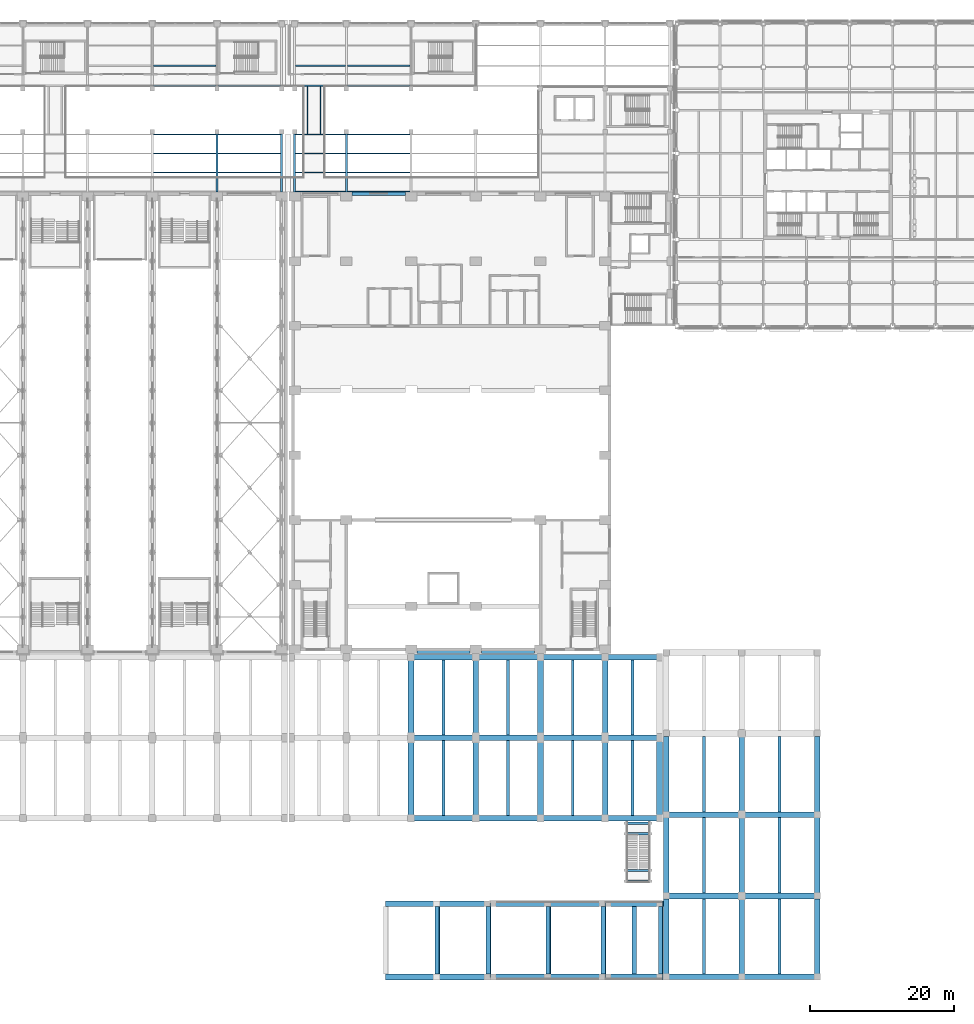
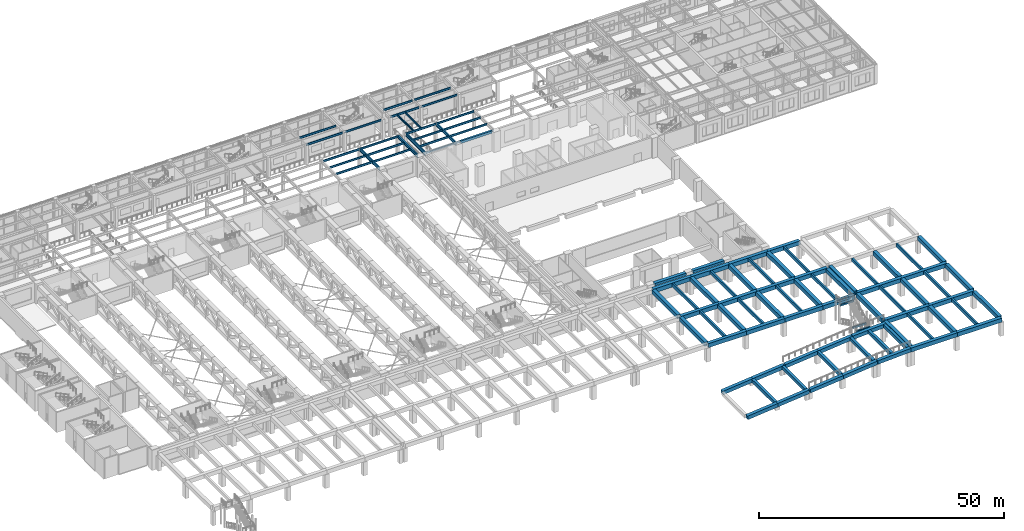
# One storey, part 19 of 76: 100 beams.
"""IFC4 building model written with IfcOpenShell, lengths in metres."""

from ifc_helpers import new_model, si_unit, direction, frame, origin, origin_2d, place, context, subcontext, project, spatial, rectangle, i_section, extrude, material, material_profile, profile_set, type_object, element, save


model = new_model("IFC4")

# Units and contexts
model_context = context("Model", 3, precision=1e-05, world=origin(), true_north=direction((0.0, 1.0)))
body_context = subcontext(model_context, "Body", "Model", "MODEL_VIEW")
ifc_project = project(units=[si_unit("LENGTHUNIT", "METRE"), si_unit("AREAUNIT", "SQUARE_METRE"), si_unit("VOLUMEUNIT", "CUBIC_METRE"), si_unit("PLANEANGLEUNIT", "RADIAN"), si_unit("MASSUNIT", "GRAM", prefix="KILO")], contexts=[model_context])

# Site, building, storey
site_placement = place(None, origin())
site = spatial("IfcSite", under=ifc_project, at=site_placement, CompositionType="ELEMENT")
building_placement = place(site_placement, origin())
building = spatial("IfcBuilding", under=site, at=building_placement, Name="Aravalli Gate Trade Fair Centre", CompositionType="ELEMENT")
storey_placement = place(building_placement, frame((0.0, 0.0, 10.0)))
storey = spatial("IfcBuildingStorey", under=building, at=storey_placement, Name="L02", CompositionType="ELEMENT", Elevation=10.0)

# Beams
ifc_material_1 = material(Name="Concrete M45", Category="concrete")
ifc_material_profile_1 = material_profile(ifc_material_1, rectangle(XDim=0.800048828125, YDim=0.60009765625, at=origin_2d()), Name="RC 800x600")
ifc_profile_set_1 = profile_set([ifc_material_profile_1], Name="Concrete M45")
beam_type_1 = type_object("IfcBeamType", Name="Congress RC edge beam 800 x 600", PredefinedType="BEAM", material=ifc_profile_set_1)
for number, where, z_axis, x_axis, name in (
    (1, (123.800048828125, 45.800048828125, 4.699951171875), (1.0, 0.0, 0.0), (0.0, 1.0, 0.0), "Edge beam S L02 bay 3"),
    (2, (132.800048828125, 45.800048828125, 4.699951171875), (1.0, 0.0, 0.0), (0.0, 1.0, 0.0), "Edge beam S L02 bay 4"),
):
    element("IfcBeam", number, at=place(storey_placement, frame(where, z_axis=z_axis, x_axis=x_axis)), inside=storey, type_object=beam_type_1, Name=name, PredefinedType="BEAM", context=body_context, shape_type="SweptSolid", body=[
        extrude(rectangle(XDim=0.800048828125, YDim=0.60009765625, at=origin_2d()), origin(), (0.0, 0.0, 1.0), 7.39990234375),
    ])
ifc_material_profile_2 = material_profile(ifc_material_1, rectangle(XDim=0.449951171875, YDim=0.60009765625, at=origin_2d()), Name="RC 450x600")
ifc_profile_set_2 = profile_set([ifc_material_profile_2], Name="Concrete M45")
beam_type_2 = type_object("IfcBeamType", Name="Congress RC lintel beam 450 x 600", PredefinedType="BEAM", material=ifc_profile_set_2)
beam_1_placement = place(storey_placement, frame((114.800048828125, 109.375, 4.699951171875), z_axis=(1.0, 0.0, 0.0), x_axis=(0.0, 1.0, 0.0)))
element("IfcBeam", 3, at=beam_1_placement, inside=storey, type_object=beam_type_2, Name="Lintel N L02 bay 2", PredefinedType="BEAM", context=body_context, shape_type="SweptSolid", body=[
    extrude(rectangle(XDim=0.449951171875, YDim=0.60009765625, at=origin_2d()), origin(), (0.0, 0.0, 1.0), 7.39990234375),
])
ifc_material_profile_3 = material_profile(ifc_material_1, rectangle(XDim=0.800048828125, YDim=1.0, at=origin_2d()), Name="Deck girder RC 800 x 1000")
ifc_profile_set_3 = profile_set([ifc_material_profile_3], Name="Concrete M45")
beam_type_3 = type_object("IfcBeamType", Name="Deck girder RC 800 x 1000", PredefinedType="BEAM", material=ifc_profile_set_3)
for number, where, z_axis, x_axis, name in (
    (4, (123.0, 22.5, 3.89990234375), (1.0, 0.0, 0.0), (0.0, 1.0, 0.0), "Beam SB3-062"),
    (5, (132.0, 22.5, 3.89990234375), (1.0, 0.0, 0.0), (0.0, 1.0, 0.0), "Beam SB3-063"),
    (6, (141.0, 22.5, 3.89990234375), (1.0, 0.0, 0.0), (0.0, 1.0, 0.0), "Beam SB3-064"),
):
    element("IfcBeam", number, at=place(storey_placement, frame(where, z_axis=z_axis, x_axis=x_axis)), inside=storey, type_object=beam_type_3, Name=name, PredefinedType="BEAM", context=body_context, shape_type="SweptSolid", body=[
        extrude(rectangle(XDim=0.800048828125, YDim=1.0, at=origin_2d()), origin(), (0.0, 0.0, 1.0), 9.0),
    ])
beam_2_placement = place(storey_placement, frame((150.0, 22.5, 3.89990234375), z_axis=(1.0, 0.0, 0.0), x_axis=(0.0, 1.0, 0.0)))
element("IfcBeam", 7, at=beam_2_placement, inside=storey, type_object=beam_type_3, Name="Beam SB3-065", PredefinedType="BEAM", context=body_context, shape_type="SweptSolid", body=[
    extrude(rectangle(XDim=0.800048828125, YDim=1.0, at=origin_2d()), origin(), (0.0, 0.0, 1.0), 7.580078125),
])
for number, where, z_axis, x_axis, name in (
    (8, (123.0, 33.699951171875, 3.89990234375), (1.0, 0.0, 0.0), (0.0, 1.0, 0.0), "Beam SB3-068"),
    (9, (132.0, 33.699951171875, 3.89990234375), (1.0, 0.0, 0.0), (0.0, 1.0, 0.0), "Beam SB3-069"),
    (10, (141.0, 33.699951171875, 3.89990234375), (1.0, 0.0, 0.0), (0.0, 1.0, 0.0), "Beam SB3-070"),
):
    element("IfcBeam", number, at=place(storey_placement, frame(where, z_axis=z_axis, x_axis=x_axis)), inside=storey, type_object=beam_type_3, Name=name, PredefinedType="BEAM", context=body_context, shape_type="SweptSolid", body=[
        extrude(rectangle(XDim=0.800048828125, YDim=1.0, at=origin_2d()), origin(), (0.0, 0.0, 1.0), 9.0),
    ])
beam_3_placement = place(storey_placement, frame((150.0, 33.699951171875, 3.89990234375), z_axis=(1.0, 0.0, 0.0), x_axis=(0.0, 1.0, 0.0)))
element("IfcBeam", 11, at=beam_3_placement, inside=storey, type_object=beam_type_3, Name="Beam SB3-071", PredefinedType="BEAM", context=body_context, shape_type="SweptSolid", body=[
    extrude(rectangle(XDim=0.800048828125, YDim=1.0, at=origin_2d()), origin(), (0.0, 0.0, 1.0), 7.580078125),
])
for number, where, z_axis, x_axis, name in (
    (12, (123.0, 44.89990234375, 3.89990234375), (1.0, 0.0, 0.0), (0.0, 1.0, 0.0), "Beam SB3-074"),
    (13, (132.0, 44.89990234375, 3.89990234375), (1.0, 0.0, 0.0), (0.0, 1.0, 0.0), "Beam SB3-075"),
    (14, (141.0, 44.89990234375, 3.89990234375), (1.0, 0.0, 0.0), (0.0, 1.0, 0.0), "Beam SB3-076"),
):
    element("IfcBeam", number, at=place(storey_placement, frame(where, z_axis=z_axis, x_axis=x_axis)), inside=storey, type_object=beam_type_3, Name=name, PredefinedType="BEAM", context=body_context, shape_type="SweptSolid", body=[
        extrude(rectangle(XDim=0.800048828125, YDim=1.0, at=origin_2d()), origin(), (0.0, 0.0, 1.0), 9.0),
    ])
beam_4_placement = place(storey_placement, frame((150.0, 44.89990234375, 3.89990234375), z_axis=(1.0, 0.0, 0.0), x_axis=(0.0, 1.0, 0.0)))
element("IfcBeam", 15, at=beam_4_placement, inside=storey, type_object=beam_type_3, Name="Beam SB3-077", PredefinedType="BEAM", context=body_context, shape_type="SweptSolid", body=[
    extrude(rectangle(XDim=0.800048828125, YDim=1.0, at=origin_2d()), origin(), (0.0, 0.0, 1.0), 7.580078125),
])
beam_5_placement = place(storey_placement, frame((123.0, 22.89990234375, 3.89990234375), z_axis=(0.0, 1.0, 0.0), x_axis=(-1.0, 0.0, 0.0)))
element("IfcBeam", 16, at=beam_5_placement, inside=storey, type_object=beam_type_3, Name="Beam SB3-082", PredefinedType="BEAM", context=body_context, shape_type="SweptSolid", body=[
    extrude(rectangle(XDim=0.800048828125, YDim=1.0, at=origin_2d()), origin(), (0.0, 0.0, 1.0), 10.400146484375),
])
beam_6_placement = place(storey_placement, frame((123.0, 34.10009765625, 3.89990234375), z_axis=(0.0, 1.0, 0.0), x_axis=(-1.0, 0.0, 0.0)))
element("IfcBeam", 17, at=beam_6_placement, inside=storey, type_object=beam_type_3, Name="Beam SB3-083", PredefinedType="BEAM", context=body_context, shape_type="SweptSolid", body=[
    extrude(rectangle(XDim=0.800048828125, YDim=1.0, at=origin_2d()), origin(), (0.0, 0.0, 1.0), 10.39990234375),
])
beam_7_placement = place(storey_placement, frame((132.0, 22.89990234375, 3.89990234375), z_axis=(0.0, 1.0, 0.0), x_axis=(-1.0, 0.0, 0.0)))
element("IfcBeam", 18, at=beam_7_placement, inside=storey, type_object=beam_type_3, Name="Beam SB3-084", PredefinedType="BEAM", context=body_context, shape_type="SweptSolid", body=[
    extrude(rectangle(XDim=0.800048828125, YDim=1.0, at=origin_2d()), origin(), (0.0, 0.0, 1.0), 10.400146484375),
])
beam_8_placement = place(storey_placement, frame((132.0, 34.10009765625, 3.89990234375), z_axis=(0.0, 1.0, 0.0), x_axis=(-1.0, 0.0, 0.0)))
element("IfcBeam", 19, at=beam_8_placement, inside=storey, type_object=beam_type_3, Name="Beam SB3-085", PredefinedType="BEAM", context=body_context, shape_type="SweptSolid", body=[
    extrude(rectangle(XDim=0.800048828125, YDim=1.0, at=origin_2d()), origin(), (0.0, 0.0, 1.0), 10.39990234375),
])
beam_9_placement = place(storey_placement, frame((141.0, 22.89990234375, 3.89990234375), z_axis=(0.0, 1.0, 0.0), x_axis=(-1.0, 0.0, 0.0)))
element("IfcBeam", 20, at=beam_9_placement, inside=storey, type_object=beam_type_3, Name="Beam SB3-086", PredefinedType="BEAM", context=body_context, shape_type="SweptSolid", body=[
    extrude(rectangle(XDim=0.800048828125, YDim=1.0, at=origin_2d()), origin(), (0.0, 0.0, 1.0), 10.400146484375),
])
beam_10_placement = place(storey_placement, frame((141.0, 34.10009765625, 3.89990234375), z_axis=(0.0, 1.0, 0.0), x_axis=(-1.0, 0.0, 0.0)))
element("IfcBeam", 21, at=beam_10_placement, inside=storey, type_object=beam_type_3, Name="Beam SB3-087", PredefinedType="BEAM", context=body_context, shape_type="SweptSolid", body=[
    extrude(rectangle(XDim=0.800048828125, YDim=1.0, at=origin_2d()), origin(), (0.0, 0.0, 1.0), 10.39990234375),
])
beam_11_placement = place(storey_placement, frame((150.0, 22.89990234375, 3.89990234375), z_axis=(0.0, 1.0, 0.0), x_axis=(-1.0, 0.0, 0.0)))
element("IfcBeam", 22, at=beam_11_placement, inside=storey, type_object=beam_type_3, Name="Beam SB3-088", PredefinedType="BEAM", context=body_context, shape_type="SweptSolid", body=[
    extrude(rectangle(XDim=0.800048828125, YDim=1.0, at=origin_2d()), origin(), (0.0, 0.0, 1.0), 10.400146484375),
])
beam_12_placement = place(storey_placement, frame((150.0, 34.10009765625, 3.89990234375), z_axis=(0.0, 1.0, 0.0), x_axis=(-1.0, 0.0, 0.0)))
element("IfcBeam", 23, at=beam_12_placement, inside=storey, type_object=beam_type_3, Name="Beam SB3-089", PredefinedType="BEAM", context=body_context, shape_type="SweptSolid", body=[
    extrude(rectangle(XDim=0.800048828125, YDim=1.0, at=origin_2d()), origin(), (0.0, 0.0, 1.0), 10.39990234375),
])
beam_13_placement = place(storey_placement, frame((157.580078125, 22.89990234375, 3.89990234375), z_axis=(0.0, 1.0, 0.0), x_axis=(-1.0, 0.0, 0.0)))
element("IfcBeam", 24, at=beam_13_placement, inside=storey, type_object=beam_type_3, Name="Beam SB3-090", PredefinedType="BEAM", context=body_context, shape_type="SweptSolid", body=[
    extrude(rectangle(XDim=0.800048828125, YDim=1.0, at=origin_2d()), origin(), (0.0, 0.0, 1.0), 10.400146484375),
])
beam_14_placement = place(storey_placement, frame((158.05810546875, 0.449951171875, 3.89990234375), z_axis=(1.0, 0.0, 0.0), x_axis=(0.0, 1.0, 0.0)))
element("IfcBeam", 25, at=beam_14_placement, inside=storey, type_object=beam_type_3, Name="Beam SB3-092", PredefinedType="BEAM", context=body_context, shape_type="SweptSolid", body=[
    extrude(rectangle(XDim=0.800048828125, YDim=1.0, at=origin_2d()), origin(), (0.0, 0.0, 1.0), 10.94189453125),
])
for number, where, z_axis, x_axis, name in (
    (26, (169.0, 0.449951171875, 3.89990234375), (1.0, 0.0, 0.0), (0.0, 1.0, 0.0), "Beam SB3-093"),
    (27, (158.5, 11.699951171875, 3.89990234375), (1.0, 0.0, 0.0), (0.0, 1.0, 0.0), "Beam SB3-094"),
    (28, (169.0, 11.699951171875, 3.89990234375), (1.0, 0.0, 0.0), (0.0, 1.0, 0.0), "Beam SB3-095"),
    (29, (158.5, 23.0, 3.89990234375), (1.0, 0.0, 0.0), (0.0, 1.0, 0.0), "Beam SB3-096"),
    (30, (169.0, 23.0, 3.89990234375), (1.0, 0.0, 0.0), (0.0, 1.0, 0.0), "Beam SB3-097"),
):
    element("IfcBeam", number, at=place(storey_placement, frame(where, z_axis=z_axis, x_axis=x_axis)), inside=storey, type_object=beam_type_3, Name=name, PredefinedType="BEAM", context=body_context, shape_type="SweptSolid", body=[
        extrude(rectangle(XDim=0.800048828125, YDim=1.0, at=origin_2d()), origin(), (0.0, 0.0, 1.0), 10.5),
    ])
beam_15_placement = place(storey_placement, frame((158.5, 0.85009765625, 3.89990234375), z_axis=(0.0, 1.0, 0.0), x_axis=(-1.0, 0.0, 0.0)))
element("IfcBeam", 31, at=beam_15_placement, inside=storey, type_object=beam_type_3, Name="Beam SB3-102", PredefinedType="BEAM", context=body_context, shape_type="SweptSolid", body=[
    extrude(rectangle(XDim=0.800048828125, YDim=1.0, at=origin_2d()), origin(), (0.0, 0.0, 1.0), 10.449951171875),
])
for number, where, z_axis, x_axis, name in (
    (32, (158.5, 12.10009765625, 3.89990234375), (0.0, 1.0, 0.0), (-1.0, 0.0, 0.0), "Beam SB3-103"),
    (33, (158.5, 23.39990234375, 3.89990234375), (0.0, 1.0, 0.0), (-1.0, 0.0, 0.0), "Beam SB3-104"),
):
    element("IfcBeam", number, at=place(storey_placement, frame(where, z_axis=z_axis, x_axis=x_axis)), inside=storey, type_object=beam_type_3, Name=name, PredefinedType="BEAM", context=body_context, shape_type="SweptSolid", body=[
        extrude(rectangle(XDim=0.800048828125, YDim=1.0, at=origin_2d()), origin(), (0.0, 0.0, 1.0), 10.5),
    ])
beam_16_placement = place(storey_placement, frame((169.0, 0.85009765625, 3.89990234375), z_axis=(0.0, 1.0, 0.0), x_axis=(-1.0, 0.0, 0.0)))
element("IfcBeam", 34, at=beam_16_placement, inside=storey, type_object=beam_type_3, Name="Beam SB3-106", PredefinedType="BEAM", context=body_context, shape_type="SweptSolid", body=[
    extrude(rectangle(XDim=0.800048828125, YDim=1.0, at=origin_2d()), origin(), (0.0, 0.0, 1.0), 10.449951171875),
])
for number, where, z_axis, x_axis, name in (
    (35, (169.0, 12.10009765625, 3.89990234375), (0.0, 1.0, 0.0), (-1.0, 0.0, 0.0), "Beam SB3-107"),
    (36, (169.0, 23.39990234375, 3.89990234375), (0.0, 1.0, 0.0), (-1.0, 0.0, 0.0), "Beam SB3-108"),
):
    element("IfcBeam", number, at=place(storey_placement, frame(where, z_axis=z_axis, x_axis=x_axis)), inside=storey, type_object=beam_type_3, Name=name, PredefinedType="BEAM", context=body_context, shape_type="SweptSolid", body=[
        extrude(rectangle(XDim=0.800048828125, YDim=1.0, at=origin_2d()), origin(), (0.0, 0.0, 1.0), 10.5),
    ])
beam_17_placement = place(storey_placement, frame((179.5, 0.85009765625, 3.89990234375), z_axis=(0.0, 1.0, 0.0), x_axis=(-1.0, 0.0, 0.0)))
element("IfcBeam", 37, at=beam_17_placement, inside=storey, type_object=beam_type_3, Name="Beam SB3-110", PredefinedType="BEAM", context=body_context, shape_type="SweptSolid", body=[
    extrude(rectangle(XDim=0.800048828125, YDim=1.0, at=origin_2d()), origin(), (0.0, 0.0, 1.0), 10.449951171875),
])
for number, where, z_axis, x_axis, name in (
    (38, (179.5, 12.10009765625, 3.89990234375), (0.0, 1.0, 0.0), (-1.0, 0.0, 0.0), "Beam SB3-111"),
    (39, (179.5, 23.39990234375, 3.89990234375), (0.0, 1.0, 0.0), (-1.0, 0.0, 0.0), "Beam SB3-112"),
):
    element("IfcBeam", number, at=place(storey_placement, frame(where, z_axis=z_axis, x_axis=x_axis)), inside=storey, type_object=beam_type_3, Name=name, PredefinedType="BEAM", context=body_context, shape_type="SweptSolid", body=[
        extrude(rectangle(XDim=0.800048828125, YDim=1.0, at=origin_2d()), origin(), (0.0, 0.0, 1.0), 10.5),
    ])
ifc_material_profile_4 = material_profile(ifc_material_1, rectangle(XDim=0.39990234375, YDim=0.800048828125, at=origin_2d()), Name="Deck secondary beam RC 400 x 800")
ifc_profile_set_4 = profile_set([ifc_material_profile_4], Name="Concrete M45")
beam_type_4 = type_object("IfcBeamType", Name="Deck secondary beam RC 400 x 800", PredefinedType="BEAM", material=ifc_profile_set_4)
beam_18_placement = place(storey_placement, frame((127.5, 22.89990234375, 4.0), z_axis=(0.0, 1.0, 0.0), x_axis=(-1.0, 0.0, 0.0)))
element("IfcBeam", 40, at=beam_18_placement, inside=storey, type_object=beam_type_4, Name="Beam SB4-027", PredefinedType="BEAM", context=body_context, shape_type="SweptSolid", body=[
    extrude(rectangle(XDim=0.39990234375, YDim=0.800048828125, at=origin_2d()), origin(), (0.0, 0.0, 1.0), 10.400146484375),
])
beam_19_placement = place(storey_placement, frame((127.5, 34.10009765625, 4.0), z_axis=(0.0, 1.0, 0.0), x_axis=(-1.0, 0.0, 0.0)))
element("IfcBeam", 41, at=beam_19_placement, inside=storey, type_object=beam_type_4, Name="Beam SB4-028", PredefinedType="BEAM", context=body_context, shape_type="SweptSolid", body=[
    extrude(rectangle(XDim=0.39990234375, YDim=0.800048828125, at=origin_2d()), origin(), (0.0, 0.0, 1.0), 10.39990234375),
])
beam_20_placement = place(storey_placement, frame((136.5, 22.89990234375, 4.0), z_axis=(0.0, 1.0, 0.0), x_axis=(-1.0, 0.0, 0.0)))
element("IfcBeam", 42, at=beam_20_placement, inside=storey, type_object=beam_type_4, Name="Beam SB4-029", PredefinedType="BEAM", context=body_context, shape_type="SweptSolid", body=[
    extrude(rectangle(XDim=0.39990234375, YDim=0.800048828125, at=origin_2d()), origin(), (0.0, 0.0, 1.0), 10.400146484375),
])
beam_21_placement = place(storey_placement, frame((136.5, 34.10009765625, 4.0), z_axis=(0.0, 1.0, 0.0), x_axis=(-1.0, 0.0, 0.0)))
element("IfcBeam", 43, at=beam_21_placement, inside=storey, type_object=beam_type_4, Name="Beam SB4-030", PredefinedType="BEAM", context=body_context, shape_type="SweptSolid", body=[
    extrude(rectangle(XDim=0.39990234375, YDim=0.800048828125, at=origin_2d()), origin(), (0.0, 0.0, 1.0), 10.39990234375),
])
beam_22_placement = place(storey_placement, frame((145.5, 22.89990234375, 4.0), z_axis=(0.0, 1.0, 0.0), x_axis=(-1.0, 0.0, 0.0)))
element("IfcBeam", 44, at=beam_22_placement, inside=storey, type_object=beam_type_4, Name="Beam SB4-031", PredefinedType="BEAM", context=body_context, shape_type="SweptSolid", body=[
    extrude(rectangle(XDim=0.39990234375, YDim=0.800048828125, at=origin_2d()), origin(), (0.0, 0.0, 1.0), 10.400146484375),
])
beam_23_placement = place(storey_placement, frame((145.5, 34.10009765625, 4.0), z_axis=(0.0, 1.0, 0.0), x_axis=(-1.0, 0.0, 0.0)))
element("IfcBeam", 45, at=beam_23_placement, inside=storey, type_object=beam_type_4, Name="Beam SB4-032", PredefinedType="BEAM", context=body_context, shape_type="SweptSolid", body=[
    extrude(rectangle(XDim=0.39990234375, YDim=0.800048828125, at=origin_2d()), origin(), (0.0, 0.0, 1.0), 10.39990234375),
])
beam_24_placement = place(storey_placement, frame((153.7900390625, 22.89990234375, 4.0), z_axis=(0.0, 1.0, 0.0), x_axis=(-1.0, 0.0, 0.0)))
element("IfcBeam", 46, at=beam_24_placement, inside=storey, type_object=beam_type_4, Name="Beam SB4-033", PredefinedType="BEAM", context=body_context, shape_type="SweptSolid", body=[
    extrude(rectangle(XDim=0.39990234375, YDim=0.800048828125, at=origin_2d()), origin(), (0.0, 0.0, 1.0), 10.400146484375),
])
beam_25_placement = place(storey_placement, frame((153.7900390625, 34.10009765625, 4.0), z_axis=(0.0, 1.0, 0.0), x_axis=(-1.0, 0.0, 0.0)))
element("IfcBeam", 47, at=beam_25_placement, inside=storey, type_object=beam_type_4, Name="Beam SB4-034", PredefinedType="BEAM", context=body_context, shape_type="SweptSolid", body=[
    extrude(rectangle(XDim=0.39990234375, YDim=0.800048828125, at=origin_2d()), origin(), (0.0, 0.0, 1.0), 10.39990234375),
])
beam_26_placement = place(storey_placement, frame((163.75, 0.85009765625, 4.0), z_axis=(0.0, 1.0, 0.0), x_axis=(-1.0, 0.0, 0.0)))
element("IfcBeam", 48, at=beam_26_placement, inside=storey, type_object=beam_type_4, Name="Beam SB4-035", PredefinedType="BEAM", context=body_context, shape_type="SweptSolid", body=[
    extrude(rectangle(XDim=0.39990234375, YDim=0.800048828125, at=origin_2d()), origin(), (0.0, 0.0, 1.0), 10.449951171875),
])
for number, where, z_axis, x_axis, name in (
    (49, (163.75, 12.10009765625, 4.0), (0.0, 1.0, 0.0), (-1.0, 0.0, 0.0), "Beam SB4-036"),
    (50, (163.75, 23.39990234375, 4.0), (0.0, 1.0, 0.0), (-1.0, 0.0, 0.0), "Beam SB4-037"),
):
    element("IfcBeam", number, at=place(storey_placement, frame(where, z_axis=z_axis, x_axis=x_axis)), inside=storey, type_object=beam_type_4, Name=name, PredefinedType="BEAM", context=body_context, shape_type="SweptSolid", body=[
        extrude(rectangle(XDim=0.39990234375, YDim=0.800048828125, at=origin_2d()), origin(), (0.0, 0.0, 1.0), 10.5),
    ])
beam_27_placement = place(storey_placement, frame((174.25, 0.85009765625, 4.0), z_axis=(0.0, 1.0, 0.0), x_axis=(-1.0, 0.0, 0.0)))
element("IfcBeam", 51, at=beam_27_placement, inside=storey, type_object=beam_type_4, Name="Beam SB4-039", PredefinedType="BEAM", context=body_context, shape_type="SweptSolid", body=[
    extrude(rectangle(XDim=0.39990234375, YDim=0.800048828125, at=origin_2d()), origin(), (0.0, 0.0, 1.0), 10.449951171875),
])
for number, where, z_axis, x_axis, name in (
    (52, (174.25, 12.10009765625, 4.0), (0.0, 1.0, 0.0), (-1.0, 0.0, 0.0), "Beam SB4-040"),
    (53, (174.25, 23.39990234375, 4.0), (0.0, 1.0, 0.0), (-1.0, 0.0, 0.0), "Beam SB4-041"),
):
    element("IfcBeam", number, at=place(storey_placement, frame(where, z_axis=z_axis, x_axis=x_axis)), inside=storey, type_object=beam_type_4, Name=name, PredefinedType="BEAM", context=body_context, shape_type="SweptSolid", body=[
        extrude(rectangle(XDim=0.39990234375, YDim=0.800048828125, at=origin_2d()), origin(), (0.0, 0.0, 1.0), 10.5),
    ])
ifc_material_2 = material(Name="Steel E350", Category="steel")
ifc_material_profile_5 = material_profile(ifc_material_2, i_section(OverallWidth=0.179931640625, OverallDepth=0.5, WebThickness=0.01025390625, FlangeThickness=0.01708984375, at=origin_2d()), Name="ISMB 500")
ifc_profile_set_5 = profile_set([ifc_material_profile_5], Name="Steel E350")
beam_type_5 = type_object("IfcBeamType", Name="ISMB 500 gallery secondary beam", PredefinedType="JOIST", material=ifc_profile_set_5)
for number, where, z_axis, x_axis, name in (
    (54, (87.14990234375, 112.330078125, 4.550048828125), (1.0, 0.0, 0.0), (0.0, 1.0, 0.0), "Gallery beam S1 10-11 L03"),
    (55, (87.14990234375, 114.969970703125, 4.550048828125), (1.0, 0.0, 0.0), (0.0, 1.0, 0.0), "Gallery beam S2 10-11 L03"),
    (56, (87.14990234375, 117.610107421875, 4.550048828125), (1.0, 0.0, 0.0), (0.0, 1.0, 0.0), "Gallery beam S3 10-11 L03"),
    (57, (87.14990234375, 124.389892578125, 4.550048828125), (1.0, 0.0, 0.0), (0.0, 1.0, 0.0), "Gallery beam N4 10-11 L03"),
    (58, (87.14990234375, 127.203369140625, 4.550048828125), (1.0, 0.0, 0.0), (0.0, 1.0, 0.0), "Gallery beam N5 10-11 L03"),
    (59, (96.14990234375, 112.330078125, 4.550048828125), (1.0, 0.0, 0.0), (0.0, 1.0, 0.0), "Gallery beam S1 11-12 L03"),
    (60, (96.14990234375, 114.969970703125, 4.550048828125), (1.0, 0.0, 0.0), (0.0, 1.0, 0.0), "Gallery beam S2 11-12 L03"),
    (61, (96.14990234375, 117.610107421875, 4.550048828125), (1.0, 0.0, 0.0), (0.0, 1.0, 0.0), "Gallery beam S3 11-12 L03"),
    (62, (96.14990234375, 124.389892578125, 4.550048828125), (1.0, 0.0, 0.0), (0.0, 1.0, 0.0), "Gallery beam N4 11-12 L03"),
):
    element("IfcBeam", number, at=place(storey_placement, frame(where, z_axis=z_axis, x_axis=x_axis)), inside=storey, type_object=beam_type_5, Name=name, PredefinedType="JOIST", context=body_context, shape_type="SweptSolid", body=[
        extrude(i_section(OverallWidth=0.179931640625, OverallDepth=0.5, WebThickness=0.01025390625, FlangeThickness=0.01708984375, at=origin_2d()), origin(), (0.0, 0.0, 1.0), 8.7001953125),
    ])
for number, where, z_axis, x_axis, name in (
    (63, (106.949951171875, 109.68994140625, 4.550048828125), (1.0, 0.0, 0.0), (0.0, 1.0, 0.0), "Gallery beam S0 12A-13 L03"),
    (64, (106.949951171875, 112.330078125, 4.550048828125), (1.0, 0.0, 0.0), (0.0, 1.0, 0.0), "Gallery beam S1 12A-13 L03"),
    (65, (106.949951171875, 114.969970703125, 4.550048828125), (1.0, 0.0, 0.0), (0.0, 1.0, 0.0), "Gallery beam S2 12A-13 L03"),
    (66, (106.949951171875, 117.610107421875, 4.550048828125), (1.0, 0.0, 0.0), (0.0, 1.0, 0.0), "Gallery beam S3 12A-13 L03"),
    (67, (106.949951171875, 124.389892578125, 4.550048828125), (1.0, 0.0, 0.0), (0.0, 1.0, 0.0), "Gallery beam N4 12A-13 L03"),
    (68, (106.949951171875, 127.203369140625, 4.550048828125), (1.0, 0.0, 0.0), (0.0, 1.0, 0.0), "Gallery beam N5 12A-13 L03"),
):
    element("IfcBeam", number, at=place(storey_placement, frame(where, z_axis=z_axis, x_axis=x_axis)), inside=storey, type_object=beam_type_5, Name=name, PredefinedType="JOIST", context=body_context, shape_type="SweptSolid", body=[
        extrude(i_section(OverallWidth=0.179931640625, OverallDepth=0.5, WebThickness=0.01025390625, FlangeThickness=0.01708984375, at=origin_2d()), origin(), (0.0, 0.0, 1.0), 6.900146484375),
    ])
for number, where, z_axis, x_axis, name in (
    (69, (114.14990234375, 109.68994140625, 4.550048828125), (1.0, 0.0, 0.0), (0.0, 1.0, 0.0), "Gallery beam S0 13-14 L03"),
    (70, (114.14990234375, 112.330078125, 4.550048828125), (1.0, 0.0, 0.0), (0.0, 1.0, 0.0), "Gallery beam S1 13-14 L03"),
    (71, (114.14990234375, 114.969970703125, 4.550048828125), (1.0, 0.0, 0.0), (0.0, 1.0, 0.0), "Gallery beam S2 13-14 L03"),
    (72, (114.14990234375, 117.610107421875, 4.550048828125), (1.0, 0.0, 0.0), (0.0, 1.0, 0.0), "Gallery beam S3 13-14 L03"),
    (73, (114.14990234375, 124.389892578125, 4.550048828125), (1.0, 0.0, 0.0), (0.0, 1.0, 0.0), "Gallery beam N4 13-14 L03"),
    (74, (114.14990234375, 127.203369140625, 4.550048828125), (1.0, 0.0, 0.0), (0.0, 1.0, 0.0), "Gallery beam N5 13-14 L03"),
):
    element("IfcBeam", number, at=place(storey_placement, frame(where, z_axis=z_axis, x_axis=x_axis)), inside=storey, type_object=beam_type_5, Name=name, PredefinedType="JOIST", context=body_context, shape_type="SweptSolid", body=[
        extrude(i_section(OverallWidth=0.179931640625, OverallDepth=0.5, WebThickness=0.01025390625, FlangeThickness=0.01708984375, at=origin_2d()), origin(), (0.0, 0.0, 1.0), 8.7001953125),
    ])
for number, where, z_axis, x_axis, name in (
    (75, (108.60009765625, 117.699951171875, 4.550048828125), (0.0, 1.0, 0.0), (-1.0, 0.0, 0.0), "Bridge beam 3.1 L03"),
    (76, (110.39990234375, 117.699951171875, 4.550048828125), (0.0, 1.0, 0.0), (-1.0, 0.0, 0.0), "Bridge beam 3.2 L03"),
):
    element("IfcBeam", number, at=place(storey_placement, frame(where, z_axis=z_axis, x_axis=x_axis)), inside=storey, type_object=beam_type_5, Name=name, PredefinedType="JOIST", context=body_context, shape_type="SweptSolid", body=[
        extrude(i_section(OverallWidth=0.179931640625, OverallDepth=0.5, WebThickness=0.01025390625, FlangeThickness=0.01708984375, at=origin_2d()), origin(), (0.0, 0.0, 1.0), 6.60009765625),
    ])
ifc_material_profile_6 = material_profile(ifc_material_2, i_section(OverallWidth=0.300048828125, OverallDepth=0.800048828125, WebThickness=0.011962890625, FlangeThickness=0.02490234375, at=origin_2d()), Name="PG 800x300x12x25")
ifc_profile_set_6 = profile_set([ifc_material_profile_6], Name="Steel E350")
beam_type_6 = type_object("IfcBeamType", Name="PG 800x300x12x25 gallery plate girder", PredefinedType="BEAM", material=ifc_profile_set_6)
for number, where, z_axis, x_axis, name in (
    (77, (96.0, 109.60009765625, 4.39990234375), (0.0, 1.0, 0.0), (-1.0, 0.0, 0.0), "Gallery girder S11 L03"),
    (78, (105.0, 109.60009765625, 4.39990234375), (0.0, 1.0, 0.0), (-1.0, 0.0, 0.0), "Gallery girder S12 L03"),
    (79, (106.800048828125, 109.60009765625, 4.39990234375), (0.0, 1.0, 0.0), (-1.0, 0.0, 0.0), "Gallery girder S12A L03"),
    (80, (114.0, 109.60009765625, 4.39990234375), (0.0, 1.0, 0.0), (-1.0, 0.0, 0.0), "Gallery girder S13 L03"),
):
    element("IfcBeam", number, at=place(storey_placement, frame(where, z_axis=z_axis, x_axis=x_axis)), inside=storey, type_object=beam_type_6, Name=name, PredefinedType="BEAM", context=body_context, shape_type="SweptSolid", body=[
        extrude(i_section(OverallWidth=0.300048828125, OverallDepth=0.800048828125, WebThickness=0.011962890625, FlangeThickness=0.02490234375, at=origin_2d()), origin(), (0.0, 0.0, 1.0), 8.099853515625),
    ])
ifc_material_profile_7 = material_profile(ifc_material_1, rectangle(XDim=0.60009765625, YDim=0.89990234375, at=origin_2d()), Name="Ramp cross beam RC 600 x 900")
ifc_profile_set_7 = profile_set([ifc_material_profile_7], Name="Concrete M45")
beam_type_7 = type_object("IfcBeamType", Name="Ramp cross beam RC 600 x 900", PredefinedType="BEAM", material=ifc_profile_set_7)
for number, where, z_axis, x_axis, name in (
    (81, (126.652587890625, 0.800048828125, 1.2099609375), (0.0, 1.0, 0.0), (-0.995037190449, 0.0, -0.099503716633), "Beam SB2-013"),
    (82, (133.784423828125, 0.800048828125, 1.923095703125), (0.0, 1.0, 0.0), (-0.995037190449, 0.0, -0.099503716633), "Beam SB2-014"),
    (83, (142.1044921875, 0.800048828125, 2.755126953125), (0.0, 1.0, 0.0), (-0.995037190449, 0.0, -0.099503716633), "Beam SB2-015"),
    (84, (149.784423828125, 0.800048828125, 3.523193359375), (0.0, 1.0, 0.0), (-0.995037190449, 0.0, -0.099503716633), "Beam SB2-016"),
    (85, (154.052490234375, 0.800048828125, 3.751220703125), (0.0, 1.0, 0.0), (-0.998752339075, 0.0, -0.049937613002), "Beam SB2-017"),
    (86, (157.732421875, 0.800048828125, 3.935302734375), (0.0, 1.0, 0.0), (-0.998752339075, 0.0, -0.049937613002), "Beam SB2-018"),
):
    element("IfcBeam", number, at=place(storey_placement, frame(where, z_axis=z_axis, x_axis=x_axis)), inside=storey, type_object=beam_type_7, Name=name, PredefinedType="BEAM", context=body_context, shape_type="SweptSolid", body=[
        extrude(rectangle(XDim=0.60009765625, YDim=0.89990234375, at=origin_2d()), origin(), (0.0, 0.0, 1.0), 9.39990234375),
    ])
ifc_material_profile_8 = material_profile(ifc_material_1, rectangle(XDim=0.800048828125, YDim=0.89990234375, at=origin_2d()), Name="Ramp edge beam RC 800 x 900")
ifc_profile_set_8 = profile_set([ifc_material_profile_8], Name="Concrete M45")
beam_type_8 = type_object("IfcBeamType", Name="Ramp edge beam RC 800 x 900", PredefinedType="BEAM", material=ifc_profile_set_8)
beam_28_placement = place(storey_placement, frame((119.5205078125, 0.39990234375, 0.496826171875), z_axis=(0.995038201886, 0.0, 0.099493601743), x_axis=(0.0, 1.0, 0.0)))
element("IfcBeam", 87, at=beam_28_placement, inside=storey, type_object=beam_type_8, Name="Beam SB1-022", PredefinedType="BEAM", context=body_context, shape_type="SweptSolid", body=[
    extrude(rectangle(XDim=0.800048828125, YDim=0.89990234375, at=origin_2d()), origin(), (0.0, 0.0, 1.0), 7.167724609375),
])
beam_29_placement = place(storey_placement, frame((126.652587890625, 0.39990234375, 1.2099609375), z_axis=(0.995037513842, 0.0, 0.099500482643), x_axis=(0.0, 1.0, 0.0)))
element("IfcBeam", 88, at=beam_29_placement, inside=storey, type_object=beam_type_8, Name="Beam SB1-023", PredefinedType="BEAM", context=body_context, shape_type="SweptSolid", body=[
    extrude(rectangle(XDim=0.800048828125, YDim=0.89990234375, at=origin_2d()), origin(), (0.0, 0.0, 1.0), 7.468994140625),
])
beam_30_placement = place(storey_placement, frame((119.5205078125, 10.60009765625, 0.496826171875), z_axis=(0.995038201886, 0.0, 0.099493601743), x_axis=(0.0, 1.0, 0.0)))
element("IfcBeam", 89, at=beam_30_placement, inside=storey, type_object=beam_type_8, Name="Beam SB1-027", PredefinedType="BEAM", context=body_context, shape_type="SweptSolid", body=[
    extrude(rectangle(XDim=0.800048828125, YDim=0.89990234375, at=origin_2d()), origin(), (0.0, 0.0, 1.0), 7.167724609375),
])
beam_31_placement = place(storey_placement, frame((126.652587890625, 10.60009765625, 1.2099609375), z_axis=(0.995037513842, 0.0, 0.099500482643), x_axis=(0.0, 1.0, 0.0)))
element("IfcBeam", 90, at=beam_31_placement, inside=storey, type_object=beam_type_8, Name="Beam SB1-028", PredefinedType="BEAM", context=body_context, shape_type="SweptSolid", body=[
    extrude(rectangle(XDim=0.800048828125, YDim=0.89990234375, at=origin_2d()), origin(), (0.0, 0.0, 1.0), 7.468994140625),
])
beam_32_placement = place(storey_placement, frame((134.324462890625, 0.39990234375, 1.977294921875), z_axis=(0.995039354067, 0.0, 0.099482078076), x_axis=(0.0, 1.0, 0.0)))
element("IfcBeam", 91, at=beam_32_placement, inside=storey, type_object=beam_type_8, Name="Beam SB1-029", PredefinedType="BEAM", context=body_context, shape_type="SweptSolid", body=[
    extrude(rectangle(XDim=0.800048828125, YDim=0.89990234375, at=origin_2d()), origin(), (0.0, 0.0, 1.0), 7.81884765625),
])
beam_33_placement = place(storey_placement, frame((142.1044921875, 0.39990234375, 2.755126953125), z_axis=(0.995035984503, 0.0, 0.099515775358), x_axis=(0.0, 1.0, 0.0)))
element("IfcBeam", 92, at=beam_33_placement, inside=storey, type_object=beam_type_8, Name="Beam SB1-030", PredefinedType="BEAM", context=body_context, shape_type="SweptSolid", body=[
    extrude(rectangle(XDim=0.800048828125, YDim=0.89990234375, at=origin_2d()), origin(), (0.0, 0.0, 1.0), 8.019775390625),
])
beam_34_placement = place(storey_placement, frame((134.324462890625, 10.60009765625, 1.977294921875), z_axis=(0.995039354067, 0.0, 0.099482078076), x_axis=(0.0, 1.0, 0.0)))
element("IfcBeam", 93, at=beam_34_placement, inside=storey, type_object=beam_type_8, Name="Beam SB1-031", PredefinedType="BEAM", context=body_context, shape_type="SweptSolid", body=[
    extrude(rectangle(XDim=0.800048828125, YDim=0.89990234375, at=origin_2d()), origin(), (0.0, 0.0, 1.0), 7.81884765625),
])
beam_35_placement = place(storey_placement, frame((142.1044921875, 10.60009765625, 2.755126953125), z_axis=(0.995035984503, 0.0, 0.099515775358), x_axis=(0.0, 1.0, 0.0)))
element("IfcBeam", 94, at=beam_35_placement, inside=storey, type_object=beam_type_8, Name="Beam SB1-032", PredefinedType="BEAM", context=body_context, shape_type="SweptSolid", body=[
    extrude(rectangle(XDim=0.800048828125, YDim=0.89990234375, at=origin_2d()), origin(), (0.0, 0.0, 1.0), 8.019775390625),
])
beam_36_placement = place(storey_placement, frame((150.2724609375, 0.39990234375, 3.562255859375), z_axis=(0.998752730644, 0.0, 0.049929780997), x_axis=(0.0, 1.0, 0.0)))
element("IfcBeam", 95, at=beam_36_placement, inside=storey, type_object=beam_type_8, Name="Beam SB1-033", PredefinedType="BEAM", context=body_context, shape_type="SweptSolid", body=[
    extrude(rectangle(XDim=0.800048828125, YDim=0.89990234375, at=origin_2d()), origin(), (0.0, 0.0, 1.0), 7.769775390625),
])
beam_37_placement = place(storey_placement, frame((150.2724609375, 10.60009765625, 3.562255859375), z_axis=(0.998752416805, 0.0, 0.049936058385), x_axis=(0.0, 1.0, 0.0)))
element("IfcBeam", 96, at=beam_37_placement, inside=storey, type_object=beam_type_8, Name="Beam SB1-034", PredefinedType="BEAM", context=body_context, shape_type="SweptSolid", body=[
    extrude(rectangle(XDim=0.800048828125, YDim=0.89990234375, at=origin_2d()), origin(), (0.0, 0.0, 1.0), 7.812744140625),
])
ifc_material_profile_9 = material_profile(ifc_material_1, rectangle(XDim=0.300048828125, YDim=0.39990234375, at=origin_2d()), Name="Stair landing beam RC 300 x 400")
ifc_profile_set_9 = profile_set([ifc_material_profile_9], Name="Concrete M45")
beam_type_9 = type_object("IfcBeamType", Name="Stair landing beam RC 300 x 400", PredefinedType="BEAM", material=ifc_profile_set_9)
for number, where, z_axis, x_axis, name in (
    (97, (153.0, 15.25, 2.050048828125), (1.0, 0.0, 0.0), (0.0, 1.0, 0.0), "Beam SB5-021"),
    (98, (153.0, 13.75, 2.050048828125), (1.0, 0.0, 0.0), (0.0, 1.0, 0.0), "Beam SB5-022"),
    (99, (153.0, 21.800048828125, 4.550048828125), (1.0, 0.0, 0.0), (0.0, 1.0, 0.0), "Beam SB5-023"),
    (100, (153.0, 20.35009765625, 4.550048828125), (1.0, 0.0, 0.0), (0.0, 1.0, 0.0), "Beam SB5-024"),
):
    element("IfcBeam", number, at=place(storey_placement, frame(where, z_axis=z_axis, x_axis=x_axis)), inside=storey, type_object=beam_type_9, Name=name, PredefinedType="BEAM", context=body_context, shape_type="SweptSolid", body=[
        extrude(rectangle(XDim=0.300048828125, YDim=0.39990234375, at=origin_2d()), origin(), (0.0, 0.0, 1.0), 3.199951171875),
    ])

save(model, "model.ifc")
